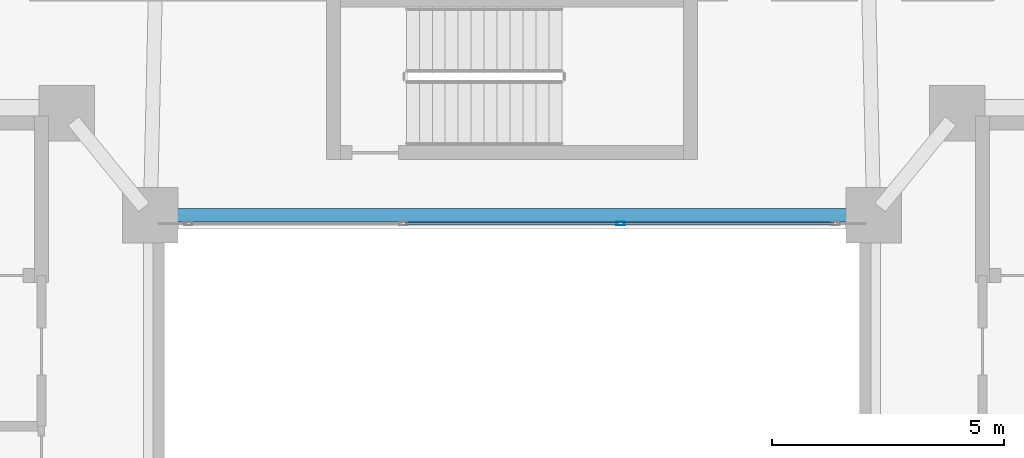
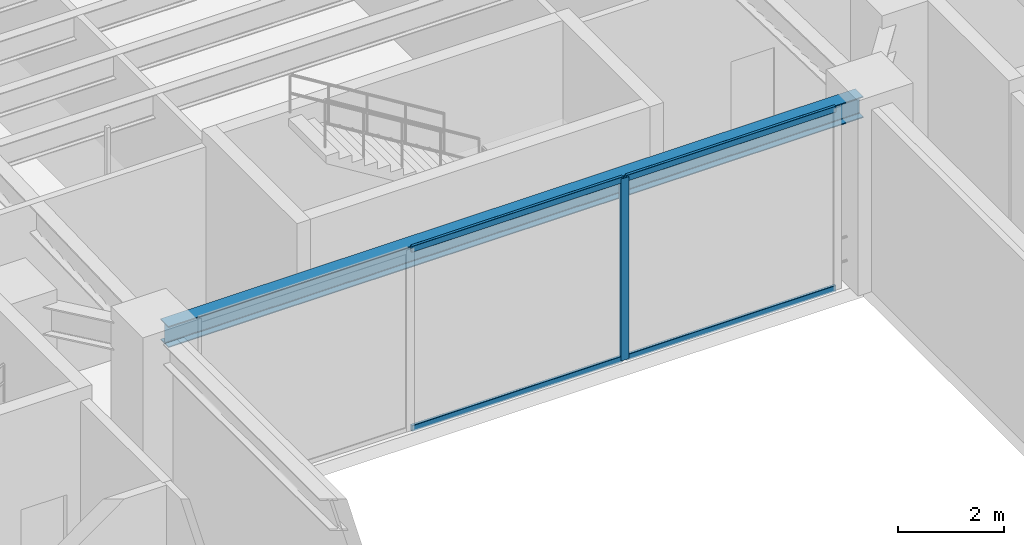
# One storey, part 12 of 38: 5 members, 1 beam, 1 element without a shape of its own.
"""IFC4 building model written with IfcOpenShell, lengths in metres."""

import ifcopenshell
import ifcopenshell.guid

model = None  # the IFC model being written
_history = None  # IfcOwnerHistory: only IFC2X3 demands one
_inside = {}  # id of a spatial element -> (the spatial element, [elements in it])
_under = {}  # id of a project, library or spatial element -> (it, [spatial elements below it])
_declared = {}  # id of a project -> (the project, [libraries it declares])
_typed = {}  # id of a type object -> (the type object, [elements of that type])
_made_of = {}  # id of a material, layer set ... -> (it, [elements and type objects made of it])


def new_model(schema):
    """Start an empty IFC model of exactly this schema.

    Asked for "IFC4X3", IfcOpenShell would pick the latest addendum, in which some entities
    have other attributes; the version numbers below select the first issue.
    IFC2X3 requires an IfcOwnerHistory on every rooted entity: one is made here for all.
    """
    global model, _history
    if schema == "IFC4X3":
        model = ifcopenshell.file(schema_version=(4, 3, 0, 0))
    else:
        model = ifcopenshell.file(schema=schema)
    _inside.clear()
    _under.clear()
    _declared.clear()
    _typed.clear()
    _made_of.clear()
    _history = None
    if model.schema == "IFC2X3":
        org = make("IfcOrganization", Name="unknown")
        user = make(
            "IfcPersonAndOrganization",
            ThePerson=make("IfcPerson", FamilyName="unknown"),
            TheOrganization=org,
        )
        app = make(
            "IfcApplication",
            ApplicationDeveloper=org,
            Version="unknown",
            ApplicationFullName="unknown",
            ApplicationIdentifier="unknown",
        )
        _history = make(
            "IfcOwnerHistory",
            OwningUser=user,
            OwningApplication=app,
            ChangeAction="ADDED",
            CreationDate=0,
        )
    return model


def make(cls, **values):
    """One entity of the class cls with the attributes given. An attribute that is None is left unset."""
    return model.create_entity(
        cls, **{name: value for name, value in values.items() if value is not None}
    )


def rooted(cls, **values):
    """An entity with a GlobalId (a new one), such as an element, a storey or a relation."""
    return make(cls, GlobalId=ifcopenshell.guid.new(), OwnerHistory=_history, **values)


def si_unit(unit_type, name, prefix=None):
    """IfcSIUnit, for example si_unit("LENGTHUNIT", "METRE", prefix="MILLI")."""
    return make("IfcSIUnit", UnitType=unit_type, Prefix=prefix, Name=name)


def assignment(units):
    """IfcUnitAssignment: the units of a project."""
    return None if units is None else make("IfcUnitAssignment", Units=units)


def point(xyz):
    """IfcCartesianPoint."""
    return None if xyz is None else make("IfcCartesianPoint", Coordinates=xyz)


def direction(xyz):
    """IfcDirection."""
    return None if xyz is None else make("IfcDirection", DirectionRatios=xyz)


def frame(location, z_axis=None, x_axis=None):
    """IfcAxis2Placement3D, a coordinate frame: its origin and axes. An axis left out is left unset."""
    return make(
        "IfcAxis2Placement3D",
        Location=point(location),
        Axis=direction(z_axis),
        RefDirection=direction(x_axis),
    )


def frame_2d(location, x_axis=None):
    """IfcAxis2Placement2D, a coordinate frame in the plane: its origin and x axis."""
    return make(
        "IfcAxis2Placement2D", Location=point(location), RefDirection=direction(x_axis)
    )


def origin():
    """The frame at (0, 0, 0) with its axes left unset."""
    return frame((0.0, 0.0, 0.0))


def origin_2d():
    """The frame at (0, 0) in the plane with its x axis left unset."""
    return frame_2d((0.0, 0.0))


def place(relative_to, where):
    """IfcLocalPlacement: puts the frame where relative to a parent placement (None: the world)."""
    return make(
        "IfcLocalPlacement", PlacementRelTo=relative_to, RelativePlacement=where
    )


def context(
    kind, dimensions, precision=None, world=None, true_north=None, identifier=None
):
    """IfcGeometricRepresentationContext, for example the 3D "Model" context."""
    return make(
        "IfcGeometricRepresentationContext",
        ContextIdentifier=identifier,
        ContextType=kind,
        CoordinateSpaceDimension=dimensions,
        Precision=precision,
        WorldCoordinateSystem=world,
        TrueNorth=true_north,
    )


def subcontext(parent, identifier, kind, view, scale=None):
    """IfcGeometricRepresentationSubContext, for example "Body" below "Model"."""
    return make(
        "IfcGeometricRepresentationSubContext",
        ContextIdentifier=identifier,
        ContextType=kind,
        ParentContext=parent,
        TargetScale=scale,
        TargetView=view,
    )


def project(units=None, contexts=None):
    """IfcProject with its units and contexts."""
    return rooted(
        "IfcProject",
        Name="project",
        RepresentationContexts=contexts,
        UnitsInContext=assignment(units),
    )


def spatial(cls, under=None, at=None, **own):
    """A site, building, storey or space (cls), placed at a placement, below another one or the project."""
    s = rooted(cls, ObjectPlacement=at, **own)
    if under is not None:
        _under.setdefault(under.id(), (under, []))[1].append(s)
    return s


def profile(cls, at=None, kind="AREA", **sizes):
    """A parametric profile (cls). Its sizes go by their IFC names, for example OverallWidth=200.0."""
    return make(cls, ProfileType=kind, Position=at, **sizes)


def hollow_rectangle(**sizes):
    """IfcRectangleHollowProfileDef."""
    return profile("IfcRectangleHollowProfileDef", **sizes)


def i_section(**sizes):
    """IfcIShapeProfileDef."""
    return profile("IfcIShapeProfileDef", **sizes)


def extrude(swept, where, along, depth):
    """IfcExtrudedAreaSolid: the profile swept, set in the frame where, extruded along a direction by depth."""
    return make(
        "IfcExtrudedAreaSolid",
        SweptArea=swept,
        Position=where,
        ExtrudedDirection=direction(along),
        Depth=depth,
    )


def shape(context_of_items, identifier, shape_type, items):
    """IfcShapeRepresentation: the items that make up one representation, for example the "Body"."""
    return make(
        "IfcShapeRepresentation",
        ContextOfItems=context_of_items,
        RepresentationIdentifier=identifier,
        RepresentationType=shape_type,
        Items=items,
    )


def material(Name=None, Category=None):
    """IfcMaterial."""
    return make("IfcMaterial", Name=Name, Category=Category)


def layer(
    of_material, thickness, ventilated=None, Name=None, Category=None, Priority=None
):
    """IfcMaterialLayer: one layer of a wall or slab, of a material (None: an air gap)."""
    return make(
        "IfcMaterialLayer",
        Material=of_material,
        LayerThickness=thickness,
        IsVentilated=ventilated,
        Name=Name,
        Category=Category,
        Priority=Priority,
    )


def layer_set(layers, Name=None):
    """IfcMaterialLayerSet."""
    return make("IfcMaterialLayerSet", MaterialLayers=layers, LayerSetName=Name)


def material_profile(
    of_material, cross_section, Name=None, Category=None, Priority=None
):
    """IfcMaterialProfile: a cross section and its material."""
    return make(
        "IfcMaterialProfile",
        Name=Name,
        Material=of_material,
        Profile=cross_section,
        Priority=Priority,
        Category=Category,
    )


def profile_set(profiles, Name=None, composite=None):
    """IfcMaterialProfileSet."""
    return make(
        "IfcMaterialProfileSet",
        Name=Name,
        MaterialProfiles=profiles,
        CompositeProfile=composite,
    )


def made_of(thing, what):
    """Note that an element or type object is made of a material, layer set ...; save() writes the relation."""
    if what is not None:
        _made_of.setdefault(what.id(), (what, []))[1].append(thing)
    return thing


def type_object(cls, material=None, **own):
    """A type object (cls), such as IfcWallType, which elements share."""
    return made_of(rooted(cls, **own), material)


def element(
    cls,
    number,
    at=None,
    inside=None,
    cuts=None,
    type_object=None,
    material=None,
    context=None,
    identifier="Body",
    shape_type=None,
    held_by="IfcProductDefinitionShape",
    body=None,
    shapes=None,
    **own,
):
    """One element of the class cls, such as IfcWall. Its Tag is "e" and its number.

    at: its placement. inside: the storey or other place that contains it. cuts: it is an
    opening in that element (IfcRelVoidsElement). A single representation is given by context,
    identifier, shape_type and body (its items); several are given by shapes. held_by: the class
    of the entity that holds the representations. save() writes the other relations.
    """
    e = rooted(cls, Tag="e%d" % number, ObjectPlacement=at, **own)
    if body is not None:
        shapes = [shape(context, identifier, shape_type, body)]
    if shapes is not None:
        e.Representation = make(held_by, Representations=shapes)
    if inside is not None:
        _inside.setdefault(inside.id(), (inside, []))[1].append(e)
    if cuts is not None:
        rooted(
            "IfcRelVoidsElement", RelatingBuildingElement=cuts, RelatedOpeningElement=e
        )
    if type_object is not None:
        _typed.setdefault(type_object.id(), (type_object, []))[1].append(e)
    return made_of(e, material)


def aggregate(whole, parts):
    """IfcRelAggregates: a whole, such as a stair, and the parts it consists of."""
    return rooted("IfcRelAggregates", RelatingObject=whole, RelatedObjects=parts)


def save(model, path):
    """Write the relations noted so far, then the file.

    IfcRelAggregates (storeys below a building ...), IfcRelContainedInSpatialStructure (elements
    in a storey), IfcRelDefinesByType, IfcRelAssociatesMaterial and IfcRelDeclares: one each for
    every whole, place, type object, material and project.
    """
    for whole, parts in _under.values():
        aggregate(whole, parts)
    for where, things in _inside.values():
        rooted(
            "IfcRelContainedInSpatialStructure",
            RelatedElements=things,
            RelatingStructure=where,
        )
    for kind, things in _typed.values():
        rooted("IfcRelDefinesByType", RelatedObjects=things, RelatingType=kind)
    for what, things in _made_of.values():
        rooted("IfcRelAssociatesMaterial", RelatedObjects=things, RelatingMaterial=what)
    for by, libraries in _declared.values():
        rooted("IfcRelDeclares", RelatingContext=by, RelatedDefinitions=libraries)
    model.write(path)


model = new_model("IFC4")

# Units and contexts
model_context = context("Model", 3, precision=1e-05, world=origin(), true_north=direction((0.0, 1.0)))
body_context = subcontext(model_context, "Body", "Model", "MODEL_VIEW")
ifc_project = project(units=[si_unit("LENGTHUNIT", "METRE"), si_unit("AREAUNIT", "SQUARE_METRE"), si_unit("VOLUMEUNIT", "CUBIC_METRE"), si_unit("PLANEANGLEUNIT", "RADIAN"), si_unit("MASSUNIT", "GRAM", prefix="KILO")], contexts=[model_context])

# Site, building, storey
site_placement = place(None, origin())
site = spatial("IfcSite", under=ifc_project, at=site_placement, CompositionType="ELEMENT")
building_placement = place(site_placement, origin())
building = spatial("IfcBuilding", under=site, at=building_placement, Name="Tarnavaz Court Tower", CompositionType="ELEMENT")
storey_placement = place(building_placement, frame((0.0, 0.0, 123.0)))
storey = spatial("IfcBuildingStorey", under=building, at=storey_placement, Name="L33", CompositionType="ELEMENT", Elevation=123.0)

# Beam
ifc_material_1 = material(Name="Steel S355", Category="steel")
ifc_material_profile_1 = material_profile(ifc_material_1, i_section(OverallWidth=0.300048828125, OverallDepth=0.489990234375, WebThickness=0.011962890625, FlangeThickness=0.02294921875, FilletRadius=0.027099609375, at=origin_2d()), Name="HEA 500")
ifc_profile_set_1 = profile_set([ifc_material_profile_1], Name="Steel S355")
beam_type = type_object("IfcBeamType", Name="BM-SP-HEA500", PredefinedType="SPANDREL", material=ifc_profile_set_1)
beam_placement = place(storey_placement, frame((-7.580078125, 7.800048828125, 3.955078125), z_axis=(1.0, 0.0, 0.0), x_axis=(0.0, 1.0, 0.0)))
element("IfcBeam", 1, at=beam_placement, inside=storey, type_object=beam_type, Name="L33 Beam IN-IW-NW-IW-NE", PredefinedType="SPANDREL", context=body_context, shape_type="SweptSolid", body=[
    extrude(i_section(OverallWidth=0.300048828125, OverallDepth=0.489990234375, WebThickness=0.011962890625, FlangeThickness=0.02294921875, FilletRadius=0.027099609375, at=origin_2d()), origin(), (0.0, 0.0, 1.0), 15.16015625),
])

# Curtain wall, members
ifc_material_2 = material(Name="Anodised Aluminium 6063-T6 and Solar Low-E Glazing", Category="aluminium")
ifc_layer = layer(ifc_material_2, 0.139892578125)
ifc_layer_set = layer_set([ifc_layer], Name="Anodised Aluminium 6063-T6 and Solar Low-E Glazing")
curtain_wall_type = type_object("IfcCurtainWallType", Name="CW-SYS-04", PredefinedType="NOTDEFINED", material=ifc_layer_set)
curtain_wall_placement = place(storey_placement, origin())
curtain_wall = element("IfcCurtainWall", 2, at=curtain_wall_placement, inside=storey, type_object=curtain_wall_type, Name="L33 Badgir Courtyard Curtain Wall N", PredefinedType="NOTDEFINED")
ifc_material_3 = material(Name="Anodised Aluminium 6063-T6", Category="aluminium")
ifc_material_profile_2 = material_profile(ifc_material_3, hollow_rectangle(XDim=0.074951171875, YDim=0.179931640625, WallThickness=0.0048828125, InnerFilletRadius=0.0048828125, OuterFilletRadius=0.010009765625, at=origin_2d()), Name="ALU RHS 180X75X5")
ifc_profile_set_2 = profile_set([ifc_material_profile_2], Name="Anodised Aluminium 6063-T6")
member_type_1 = type_object("IfcMemberType", Name="CW-MUL-180", PredefinedType="MULLION", material=ifc_profile_set_2)
member_1_placement = place(storey_placement, frame((2.340087890625, 7.6201171875, 0.0), z_axis=(0.0, 0.0, 1.0), x_axis=(0.0, -1.0, 0.0)))
member_1 = element("IfcMember", 3, at=member_1_placement, type_object=member_type_1, Name="CW mullion 2", PredefinedType="MULLION", context=body_context, shape_type="SweptSolid", body=[
    extrude(hollow_rectangle(XDim=0.074951171875, YDim=0.179931640625, WallThickness=0.0048828125, InnerFilletRadius=0.0048828125, OuterFilletRadius=0.010009765625, at=origin_2d()), origin(), (0.0, 0.0, 1.0), 4.199951171875),
])
ifc_material_profile_3 = material_profile(ifc_material_3, hollow_rectangle(XDim=0.06494140625, YDim=0.139892578125, WallThickness=0.00390625, InnerFilletRadius=0.00390625, OuterFilletRadius=0.008056640625, at=origin_2d()), Name="ALU RHS 140X65X4")
ifc_profile_set_3 = profile_set([ifc_material_profile_3], Name="Anodised Aluminium 6063-T6")
member_type_2 = type_object("IfcMemberType", Name="CW-TRN-140", PredefinedType="USERDEFINED", material=ifc_profile_set_3)
member_2_placement = place(storey_placement, frame((6.945068359375, 7.6201171875, 0.032470703125), z_axis=(-1.0, 0.0, 0.0), x_axis=(0.0, -1.0, 0.0)))
member_2 = element("IfcMember", 4, at=member_2_placement, type_object=member_type_2, Name="CW transom 1.1", ObjectType="TRANSOM", PredefinedType="USERDEFINED", context=body_context, shape_type="SweptSolid", body=[
    extrude(hollow_rectangle(XDim=0.06494140625, YDim=0.139892578125, WallThickness=0.00390625, InnerFilletRadius=0.00390625, OuterFilletRadius=0.008056640625, at=origin_2d()), origin(), (0.0, 0.0, 1.0), 4.567626953125),
])
member_3_placement = place(storey_placement, frame((6.945068359375, 7.6201171875, 4.16748046875), z_axis=(-1.0, 0.0, 0.0), x_axis=(0.0, -1.0, 0.0)))
member_3 = element("IfcMember", 5, at=member_3_placement, type_object=member_type_2, Name="CW transom 1.2", ObjectType="TRANSOM", PredefinedType="USERDEFINED", context=body_context, shape_type="SweptSolid", body=[
    extrude(hollow_rectangle(XDim=0.06494140625, YDim=0.139892578125, WallThickness=0.00390625, InnerFilletRadius=0.00390625, OuterFilletRadius=0.008056640625, at=origin_2d()), origin(), (0.0, 0.0, 1.0), 4.567626953125),
])
member_4_placement = place(storey_placement, frame((2.302490234375, 7.6201171875, 0.032470703125), z_axis=(-1.0, 0.0, 0.0), x_axis=(0.0, -1.0, 0.0)))
member_4 = element("IfcMember", 6, at=member_4_placement, type_object=member_type_2, Name="CW transom 2.1", ObjectType="TRANSOM", PredefinedType="USERDEFINED", context=body_context, shape_type="SweptSolid", body=[
    extrude(hollow_rectangle(XDim=0.06494140625, YDim=0.139892578125, WallThickness=0.00390625, InnerFilletRadius=0.00390625, OuterFilletRadius=0.008056640625, at=origin_2d()), origin(), (0.0, 0.0, 1.0), 4.60498046875),
])
member_5_placement = place(storey_placement, frame((2.302490234375, 7.6201171875, 4.16748046875), z_axis=(-1.0, 0.0, 0.0), x_axis=(0.0, -1.0, 0.0)))
member_5 = element("IfcMember", 7, at=member_5_placement, type_object=member_type_2, Name="CW transom 2.2", ObjectType="TRANSOM", PredefinedType="USERDEFINED", context=body_context, shape_type="SweptSolid", body=[
    extrude(hollow_rectangle(XDim=0.06494140625, YDim=0.139892578125, WallThickness=0.00390625, InnerFilletRadius=0.00390625, OuterFilletRadius=0.008056640625, at=origin_2d()), origin(), (0.0, 0.0, 1.0), 4.60498046875),
])
aggregate(curtain_wall, [member_1, member_2, member_3, member_4, member_5])

save(model, "model.ifc")
